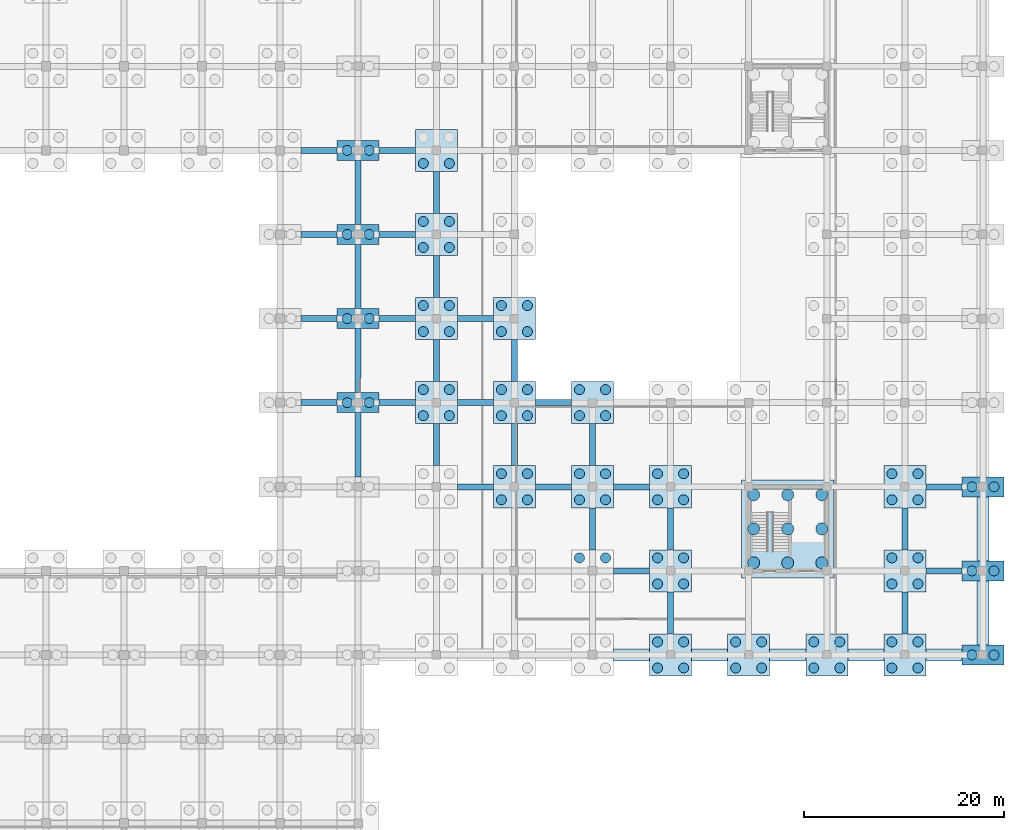
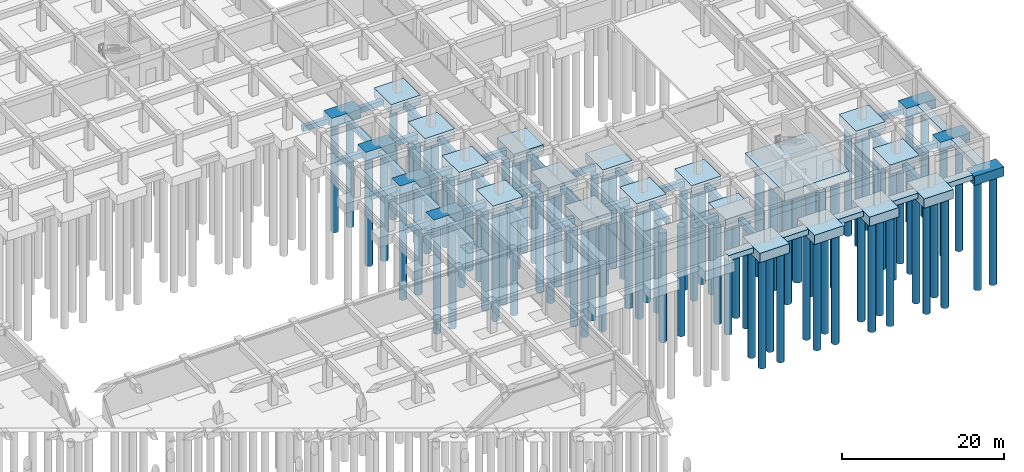
# One storey, part 9 of 31: 91 piles, 65 footings.
"""IFC4 building model written with IfcOpenShell, lengths in metres."""

from ifc_helpers import new_model, si_unit, direction, frame, origin, origin_2d, place, context, subcontext, project, spatial, rectangle, circle, extrude, material, material_profile, profile_set, type_object, element, save


model = new_model("IFC4")

# Units and contexts
model_context = context("Model", 3, precision=1e-05, world=origin(), true_north=direction((0.0, 1.0)))
body_context = subcontext(model_context, "Body", "Model", "MODEL_VIEW")
ifc_project = project(units=[si_unit("LENGTHUNIT", "METRE"), si_unit("AREAUNIT", "SQUARE_METRE"), si_unit("VOLUMEUNIT", "CUBIC_METRE"), si_unit("PLANEANGLEUNIT", "RADIAN"), si_unit("MASSUNIT", "GRAM", prefix="KILO")], contexts=[model_context])

# Site, building, storey
site_placement = place(None, origin())
site = spatial("IfcSite", under=ifc_project, at=site_placement, CompositionType="ELEMENT")
building_placement = place(site_placement, origin())
building = spatial("IfcBuilding", under=site, at=building_placement, Name="Zizhar Promenade General Hospital", CompositionType="ELEMENT")
storey_placement = place(building_placement, frame((0.0, 0.0, -4.800048828125)))
storey = spatial("IfcBuildingStorey", under=building, at=storey_placement, Name="B1", CompositionType="ELEMENT", Elevation=-4.800048828125)

# Footings
ifc_material_1 = material(Name="Concrete C30/37", Category="concrete")
footing_type_1 = type_object("IfcFootingType", Name="FTG-CAP2-4000", PredefinedType="PILE_CAP", material=ifc_material_1)
for number, where, z_axis, x_axis, name in (
    (1, (132.60009765625, 67.199951171875, -1.39990234375), (0.0, 0.0, 1.0), (1.0, 0.0, 0.0), "Pile Cap 18-J"),
    (2, (132.60009765625, 75.60009765625, -1.39990234375), (0.0, 0.0, 1.0), (1.0, 0.0, 0.0), "Pile Cap 18-K"),
    (3, (132.60009765625, 84.0, -1.39990234375), (0.0, 0.0, 1.0), (1.0, 0.0, 0.0), "Pile Cap 18-L"),
    (4, (132.60009765625, 92.39990234375, -1.39990234375), (0.0, 0.0, 1.0), (1.0, 0.0, 0.0), "Pile Cap 18-M"),
    (5, (195.0, 42.0, -1.39990234375), (0.0, 0.0, 1.0), (1.0, 0.0, 0.0), "Pile Cap 26-F"),
    (6, (195.0, 50.39990234375, -1.39990234375), (0.0, 0.0, 1.0), (1.0, 0.0, 0.0), "Pile Cap 26-G"),
    (7, (195.0, 58.800048828125, -1.39990234375), (0.0, 0.0, 1.0), (1.0, 0.0, 0.0), "Pile Cap 26-H"),
):
    element("IfcFooting", number, at=place(storey_placement, frame(where, z_axis=z_axis, x_axis=x_axis)), inside=storey, type_object=footing_type_1, Name=name, PredefinedType="PILE_CAP", context=body_context, shape_type="SweptSolid", body=[
        extrude(rectangle(XDim=4.199951171875, YDim=2.0, at=origin_2d()), origin(), (0.0, 0.0, 1.0), 1.39990234375),
    ])
ifc_material_2 = material(Name="Concrete C30/37", Category="concrete")
footing_type_2 = type_object("IfcFootingType", Name="FTG-CAP4-4200", PredefinedType="PILE_CAP", material=ifc_material_2)
for number, where, z_axis, x_axis, name in (
    (8, (140.39990234375, 67.199951171875, -1.39990234375), (0.0, 0.0, 1.0), (1.0, 0.0, 0.0), "Pile Cap 19-J"),
    (9, (140.39990234375, 75.60009765625, -1.39990234375), (0.0, 0.0, 1.0), (1.0, 0.0, 0.0), "Pile Cap 19-K"),
    (10, (140.39990234375, 84.0, -1.39990234375), (0.0, 0.0, 1.0), (1.0, 0.0, 0.0), "Pile Cap 19-L"),
    (11, (140.39990234375, 92.39990234375, -1.39990234375), (0.0, 0.0, 1.0), (1.0, 0.0, 0.0), "Pile Cap 19-M"),
    (12, (148.199951171875, 58.800048828125, -1.39990234375), (0.0, 0.0, 1.0), (1.0, 0.0, 0.0), "Pile Cap 20-H"),
    (13, (148.199951171875, 67.199951171875, -1.39990234375), (0.0, 0.0, 1.0), (1.0, 0.0, 0.0), "Pile Cap 20-J"),
    (14, (148.199951171875, 75.60009765625, -1.39990234375), (0.0, 0.0, 1.0), (1.0, 0.0, 0.0), "Pile Cap 20-K"),
    (15, (156.0, 58.800048828125, -1.39990234375), (0.0, 0.0, 1.0), (1.0, 0.0, 0.0), "Pile Cap 21-H"),
    (16, (156.0, 67.199951171875, -1.39990234375), (0.0, 0.0, 1.0), (1.0, 0.0, 0.0), "Pile Cap 21-J"),
    (17, (163.800048828125, 42.0, -1.39990234375), (0.0, 0.0, 1.0), (1.0, 0.0, 0.0), "Pile Cap 22-F"),
    (18, (163.800048828125, 50.39990234375, -1.39990234375), (0.0, 0.0, 1.0), (1.0, 0.0, 0.0), "Pile Cap 22-G"),
    (19, (163.800048828125, 58.800048828125, -1.39990234375), (0.0, 0.0, 1.0), (1.0, 0.0, 0.0), "Pile Cap 22-H"),
    (20, (171.60009765625, 42.0, -1.39990234375), (0.0, 0.0, 1.0), (1.0, 0.0, 0.0), "Pile Cap 23-F"),
    (21, (179.39990234375, 42.0, -1.39990234375), (0.0, 0.0, 1.0), (1.0, 0.0, 0.0), "Pile Cap 24-F"),
    (22, (187.199951171875, 42.0, -1.39990234375), (0.0, 0.0, 1.0), (1.0, 0.0, 0.0), "Pile Cap 25-F"),
    (23, (187.199951171875, 50.39990234375, -1.39990234375), (0.0, 0.0, 1.0), (1.0, 0.0, 0.0), "Pile Cap 25-G"),
    (24, (187.199951171875, 58.800048828125, -1.39990234375), (0.0, 0.0, 1.0), (1.0, 0.0, 0.0), "Pile Cap 25-H"),
):
    element("IfcFooting", number, at=place(storey_placement, frame(where, z_axis=z_axis, x_axis=x_axis)), inside=storey, type_object=footing_type_2, Name=name, PredefinedType="PILE_CAP", context=body_context, shape_type="SweptSolid", body=[
        extrude(rectangle(XDim=4.199951171875, YDim=4.199951171875, at=origin_2d()), origin(), (0.0, 0.0, 1.0), 1.39990234375),
    ])
ifc_material_3 = material(Name="Concrete C30/37", Category="concrete")
footing_type_3 = type_object("IfcFootingType", Name="FTG-CORECAP-9200", PredefinedType="PILE_CAP", material=ifc_material_3)
footing_1_placement = place(storey_placement, frame((175.5, 54.60009765625, -1.39990234375), z_axis=(0.0, 0.0, 1.0), x_axis=(1.0, 0.0, 0.0)))
element("IfcFooting", 25, at=footing_1_placement, inside=storey, type_object=footing_type_3, Name="Core C9 Pile Cap", PredefinedType="PILE_CAP", context=body_context, shape_type="SweptSolid", body=[
    extrude(rectangle(XDim=9.199951171875, YDim=9.800048828125, at=origin_2d()), origin(), (0.0, 0.0, 1.0), 1.39990234375),
])
ifc_material_4 = material(Name="Concrete C30/37", Category="concrete")
ifc_material_profile_1 = material_profile(ifc_material_4, rectangle(XDim=1.199951171875, YDim=0.800048828125, at=origin_2d()))
ifc_profile_set_1 = profile_set([ifc_material_profile_1], Name="Concrete C30/37")
footing_type_4 = type_object("IfcFootingType", Name="FTG-STRIP-1200", PredefinedType="STRIP_FOOTING", material=ifc_profile_set_1)
footing_2_placement = place(storey_placement, frame((158.10009765625, 42.0, -0.39990234375), z_axis=(1.0, 0.0, 0.0), x_axis=(0.0, 1.0, 0.0)))
element("IfcFooting", 26, at=footing_2_placement, inside=storey, type_object=footing_type_4, Name="Basement Wall Strip Footing B03 (4)", PredefinedType="STRIP_FOOTING", context=body_context, shape_type="SweptSolid", body=[
    extrude(rectangle(XDim=1.199951171875, YDim=0.800048828125, at=origin_2d()), origin(), (0.0, 0.0, 1.0), 3.599853515625),
])
for number, where, z_axis, x_axis, name in (
    (27, (165.89990234375, 42.0, -0.39990234375), (1.0, 0.0, 0.0), (0.0, 1.0, 0.0), "Basement Wall Strip Footing B03 (5)"),
    (28, (173.699951171875, 42.0, -0.39990234375), (1.0, 0.0, 0.0), (0.0, 1.0, 0.0), "Basement Wall Strip Footing B03 (6)"),
    (29, (181.5, 42.0, -0.39990234375), (1.0, 0.0, 0.0), (0.0, 1.0, 0.0), "Basement Wall Strip Footing B03 (7)"),
):
    element("IfcFooting", number, at=place(storey_placement, frame(where, z_axis=z_axis, x_axis=x_axis)), inside=storey, type_object=footing_type_4, Name=name, PredefinedType="STRIP_FOOTING", context=body_context, shape_type="SweptSolid", body=[
        extrude(rectangle(XDim=1.199951171875, YDim=0.800048828125, at=origin_2d()), origin(), (0.0, 0.0, 1.0), 3.60009765625),
    ])
footing_3_placement = place(storey_placement, frame((189.300048828125, 42.0, -0.39990234375), z_axis=(1.0, 0.0, 0.0), x_axis=(0.0, 1.0, 0.0)))
element("IfcFooting", 30, at=footing_3_placement, inside=storey, type_object=footing_type_4, Name="Basement Wall Strip Footing B03 (8)", PredefinedType="STRIP_FOOTING", context=body_context, shape_type="SweptSolid", body=[
    extrude(rectangle(XDim=1.199951171875, YDim=0.800048828125, at=origin_2d()), origin(), (0.0, 0.0, 1.0), 3.599853515625),
])
footing_4_placement = place(storey_placement, frame((195.0, 43.0, -0.39990234375), z_axis=(0.0, 1.0, 0.0), x_axis=(-1.0, 0.0, 0.0)))
element("IfcFooting", 31, at=footing_4_placement, inside=storey, type_object=footing_type_4, Name="Basement Wall Strip Footing B04", PredefinedType="STRIP_FOOTING", context=body_context, shape_type="SweptSolid", body=[
    extrude(rectangle(XDim=1.199951171875, YDim=0.800048828125, at=origin_2d()), origin(), (0.0, 0.0, 1.0), 6.39990234375),
])
footing_5_placement = place(storey_placement, frame((195.0, 51.39990234375, -0.39990234375), z_axis=(0.0, 1.0, 0.0), x_axis=(-1.0, 0.0, 0.0)))
element("IfcFooting", 32, at=footing_5_placement, inside=storey, type_object=footing_type_4, Name="Basement Wall Strip Footing B04 (2)", PredefinedType="STRIP_FOOTING", context=body_context, shape_type="SweptSolid", body=[
    extrude(rectangle(XDim=1.199951171875, YDim=0.800048828125, at=origin_2d()), origin(), (0.0, 0.0, 1.0), 6.400146484375),
])
ifc_material_5 = material(Name="Concrete C30/37", Category="concrete")
ifc_material_profile_2 = material_profile(ifc_material_5, rectangle(XDim=0.60009765625, YDim=0.800048828125, at=origin_2d()))
ifc_profile_set_2 = profile_set([ifc_material_profile_2], Name="Concrete C30/37")
footing_type_5 = type_object("IfcFootingType", Name="FTG-TIE-600x800", PredefinedType="FOOTING_BEAM", material=ifc_profile_set_2)
for number, where, z_axis, x_axis, name in (
    (33, (126.89990234375, 67.199951171875, -0.800048828125), (1.0, 0.0, 0.0), (0.0, 1.0, 0.0), "Seismic Ground Tie Beam X-16-8"),
    (34, (126.89990234375, 75.60009765625, -0.800048828125), (1.0, 0.0, 0.0), (0.0, 1.0, 0.0), "Seismic Ground Tie Beam X-16-9"),
    (35, (126.89990234375, 84.0, -0.800048828125), (1.0, 0.0, 0.0), (0.0, 1.0, 0.0), "Seismic Ground Tie Beam X-16-10"),
    (36, (126.89990234375, 92.39990234375, -0.800048828125), (1.0, 0.0, 0.0), (0.0, 1.0, 0.0), "Seismic Ground Tie Beam X-16-11"),
):
    element("IfcFooting", number, at=place(storey_placement, frame(where, z_axis=z_axis, x_axis=x_axis)), inside=storey, type_object=footing_type_5, Name=name, PredefinedType="FOOTING_BEAM", context=body_context, shape_type="SweptSolid", body=[
        extrude(rectangle(XDim=0.60009765625, YDim=0.800048828125, at=origin_2d()), origin(), (0.0, 0.0, 1.0), 3.60009765625),
    ])
footing_6_placement = place(storey_placement, frame((132.60009765625, 59.800048828125, -0.800048828125), z_axis=(0.0, 1.0, 0.0), x_axis=(-1.0, 0.0, 0.0)))
element("IfcFooting", 37, at=footing_6_placement, inside=storey, type_object=footing_type_5, Name="Seismic Ground Tie Beam Y-17-7", PredefinedType="FOOTING_BEAM", context=body_context, shape_type="SweptSolid", body=[
    extrude(rectangle(XDim=0.60009765625, YDim=0.800048828125, at=origin_2d()), origin(), (0.0, 0.0, 1.0), 6.39990234375),
])
footing_7_placement = place(storey_placement, frame((134.699951171875, 67.199951171875, -0.800048828125), z_axis=(1.0, 0.0, 0.0), x_axis=(0.0, 1.0, 0.0)))
element("IfcFooting", 38, at=footing_7_placement, inside=storey, type_object=footing_type_5, Name="Seismic Ground Tie Beam X-17-8", PredefinedType="FOOTING_BEAM", context=body_context, shape_type="SweptSolid", body=[
    extrude(rectangle(XDim=0.60009765625, YDim=0.800048828125, at=origin_2d()), origin(), (0.0, 0.0, 1.0), 3.60009765625),
])
footing_8_placement = place(storey_placement, frame((132.60009765625, 68.199951171875, -0.800048828125), z_axis=(0.0, 1.0, 0.0), x_axis=(-1.0, 0.0, 0.0)))
element("IfcFooting", 39, at=footing_8_placement, inside=storey, type_object=footing_type_5, Name="Seismic Ground Tie Beam Y-17-8", PredefinedType="FOOTING_BEAM", context=body_context, shape_type="SweptSolid", body=[
    extrude(rectangle(XDim=0.60009765625, YDim=0.800048828125, at=origin_2d()), origin(), (0.0, 0.0, 1.0), 6.400146484375),
])
footing_9_placement = place(storey_placement, frame((134.699951171875, 75.60009765625, -0.800048828125), z_axis=(1.0, 0.0, 0.0), x_axis=(0.0, 1.0, 0.0)))
element("IfcFooting", 40, at=footing_9_placement, inside=storey, type_object=footing_type_5, Name="Seismic Ground Tie Beam X-17-9", PredefinedType="FOOTING_BEAM", context=body_context, shape_type="SweptSolid", body=[
    extrude(rectangle(XDim=0.60009765625, YDim=0.800048828125, at=origin_2d()), origin(), (0.0, 0.0, 1.0), 3.60009765625),
])
footing_10_placement = place(storey_placement, frame((132.60009765625, 76.60009765625, -0.800048828125), z_axis=(0.0, 1.0, 0.0), x_axis=(-1.0, 0.0, 0.0)))
element("IfcFooting", 41, at=footing_10_placement, inside=storey, type_object=footing_type_5, Name="Seismic Ground Tie Beam Y-17-9", PredefinedType="FOOTING_BEAM", context=body_context, shape_type="SweptSolid", body=[
    extrude(rectangle(XDim=0.60009765625, YDim=0.800048828125, at=origin_2d()), origin(), (0.0, 0.0, 1.0), 6.39990234375),
])
footing_11_placement = place(storey_placement, frame((134.699951171875, 84.0, -0.800048828125), z_axis=(1.0, 0.0, 0.0), x_axis=(0.0, 1.0, 0.0)))
element("IfcFooting", 42, at=footing_11_placement, inside=storey, type_object=footing_type_5, Name="Seismic Ground Tie Beam X-17-10", PredefinedType="FOOTING_BEAM", context=body_context, shape_type="SweptSolid", body=[
    extrude(rectangle(XDim=0.60009765625, YDim=0.800048828125, at=origin_2d()), origin(), (0.0, 0.0, 1.0), 3.60009765625),
])
footing_12_placement = place(storey_placement, frame((132.60009765625, 85.0, -0.800048828125), z_axis=(0.0, 1.0, 0.0), x_axis=(-1.0, 0.0, 0.0)))
element("IfcFooting", 43, at=footing_12_placement, inside=storey, type_object=footing_type_5, Name="Seismic Ground Tie Beam Y-17-10", PredefinedType="FOOTING_BEAM", context=body_context, shape_type="SweptSolid", body=[
    extrude(rectangle(XDim=0.60009765625, YDim=0.800048828125, at=origin_2d()), origin(), (0.0, 0.0, 1.0), 6.39990234375),
])
for number, where, z_axis, x_axis, name in (
    (44, (134.699951171875, 92.39990234375, -0.800048828125), (1.0, 0.0, 0.0), (0.0, 1.0, 0.0), "Seismic Ground Tie Beam X-17-11"),
    (45, (142.5, 58.800048828125, -0.800048828125), (1.0, 0.0, 0.0), (0.0, 1.0, 0.0), "Seismic Ground Tie Beam X-18-7"),
):
    element("IfcFooting", number, at=place(storey_placement, frame(where, z_axis=z_axis, x_axis=x_axis)), inside=storey, type_object=footing_type_5, Name=name, PredefinedType="FOOTING_BEAM", context=body_context, shape_type="SweptSolid", body=[
        extrude(rectangle(XDim=0.60009765625, YDim=0.800048828125, at=origin_2d()), origin(), (0.0, 0.0, 1.0), 3.60009765625),
    ])
footing_13_placement = place(storey_placement, frame((140.39990234375, 60.89990234375, -0.800048828125), z_axis=(0.0, 1.0, 0.0), x_axis=(-1.0, 0.0, 0.0)))
element("IfcFooting", 46, at=footing_13_placement, inside=storey, type_object=footing_type_5, Name="Seismic Ground Tie Beam Y-18-7", PredefinedType="FOOTING_BEAM", context=body_context, shape_type="SweptSolid", body=[
    extrude(rectangle(XDim=0.60009765625, YDim=0.800048828125, at=origin_2d()), origin(), (0.0, 0.0, 1.0), 4.2001953125),
])
footing_14_placement = place(storey_placement, frame((142.5, 67.199951171875, -0.800048828125), z_axis=(1.0, 0.0, 0.0), x_axis=(0.0, 1.0, 0.0)))
element("IfcFooting", 47, at=footing_14_placement, inside=storey, type_object=footing_type_5, Name="Seismic Ground Tie Beam X-18-8", PredefinedType="FOOTING_BEAM", context=body_context, shape_type="SweptSolid", body=[
    extrude(rectangle(XDim=0.60009765625, YDim=0.800048828125, at=origin_2d()), origin(), (0.0, 0.0, 1.0), 3.60009765625),
])
footing_15_placement = place(storey_placement, frame((140.39990234375, 69.300048828125, -0.800048828125), z_axis=(0.0, 1.0, 0.0), x_axis=(-1.0, 0.0, 0.0)))
element("IfcFooting", 48, at=footing_15_placement, inside=storey, type_object=footing_type_5, Name="Seismic Ground Tie Beam Y-18-8", PredefinedType="FOOTING_BEAM", context=body_context, shape_type="SweptSolid", body=[
    extrude(rectangle(XDim=0.60009765625, YDim=0.800048828125, at=origin_2d()), origin(), (0.0, 0.0, 1.0), 4.199951171875),
])
footing_16_placement = place(storey_placement, frame((142.5, 75.60009765625, -0.800048828125), z_axis=(1.0, 0.0, 0.0), x_axis=(0.0, 1.0, 0.0)))
element("IfcFooting", 49, at=footing_16_placement, inside=storey, type_object=footing_type_5, Name="Seismic Ground Tie Beam X-18-9", PredefinedType="FOOTING_BEAM", context=body_context, shape_type="SweptSolid", body=[
    extrude(rectangle(XDim=0.60009765625, YDim=0.800048828125, at=origin_2d()), origin(), (0.0, 0.0, 1.0), 3.60009765625),
])
for number, where, z_axis, x_axis, name in (
    (50, (140.39990234375, 77.699951171875, -0.800048828125), (0.0, 1.0, 0.0), (-1.0, 0.0, 0.0), "Seismic Ground Tie Beam Y-18-9"),
    (51, (140.39990234375, 86.10009765625, -0.800048828125), (0.0, 1.0, 0.0), (-1.0, 0.0, 0.0), "Seismic Ground Tie Beam Y-18-10"),
):
    element("IfcFooting", number, at=place(storey_placement, frame(where, z_axis=z_axis, x_axis=x_axis)), inside=storey, type_object=footing_type_5, Name=name, PredefinedType="FOOTING_BEAM", context=body_context, shape_type="SweptSolid", body=[
        extrude(rectangle(XDim=0.60009765625, YDim=0.800048828125, at=origin_2d()), origin(), (0.0, 0.0, 1.0), 4.199951171875),
    ])
footing_17_placement = place(storey_placement, frame((150.300048828125, 58.800048828125, -0.800048828125), z_axis=(1.0, 0.0, 0.0), x_axis=(0.0, 1.0, 0.0)))
element("IfcFooting", 52, at=footing_17_placement, inside=storey, type_object=footing_type_5, Name="Seismic Ground Tie Beam X-19-7", PredefinedType="FOOTING_BEAM", context=body_context, shape_type="SweptSolid", body=[
    extrude(rectangle(XDim=0.60009765625, YDim=0.800048828125, at=origin_2d()), origin(), (0.0, 0.0, 1.0), 3.599853515625),
])
footing_18_placement = place(storey_placement, frame((148.199951171875, 60.89990234375, -0.800048828125), z_axis=(0.0, 1.0, 0.0), x_axis=(-1.0, 0.0, 0.0)))
element("IfcFooting", 53, at=footing_18_placement, inside=storey, type_object=footing_type_5, Name="Seismic Ground Tie Beam Y-19-7", PredefinedType="FOOTING_BEAM", context=body_context, shape_type="SweptSolid", body=[
    extrude(rectangle(XDim=0.60009765625, YDim=0.800048828125, at=origin_2d()), origin(), (0.0, 0.0, 1.0), 4.2001953125),
])
footing_19_placement = place(storey_placement, frame((150.300048828125, 67.199951171875, -0.800048828125), z_axis=(1.0, 0.0, 0.0), x_axis=(0.0, 1.0, 0.0)))
element("IfcFooting", 54, at=footing_19_placement, inside=storey, type_object=footing_type_5, Name="Seismic Ground Tie Beam X-19-8", PredefinedType="FOOTING_BEAM", context=body_context, shape_type="SweptSolid", body=[
    extrude(rectangle(XDim=0.60009765625, YDim=0.800048828125, at=origin_2d()), origin(), (0.0, 0.0, 1.0), 3.599853515625),
])
footing_20_placement = place(storey_placement, frame((148.199951171875, 69.300048828125, -0.800048828125), z_axis=(0.0, 1.0, 0.0), x_axis=(-1.0, 0.0, 0.0)))
element("IfcFooting", 55, at=footing_20_placement, inside=storey, type_object=footing_type_5, Name="Seismic Ground Tie Beam Y-19-8", PredefinedType="FOOTING_BEAM", context=body_context, shape_type="SweptSolid", body=[
    extrude(rectangle(XDim=0.60009765625, YDim=0.800048828125, at=origin_2d()), origin(), (0.0, 0.0, 1.0), 4.199951171875),
])
footing_21_placement = place(storey_placement, frame((158.10009765625, 50.39990234375, -0.800048828125), z_axis=(1.0, 0.0, 0.0), x_axis=(0.0, 1.0, 0.0)))
element("IfcFooting", 56, at=footing_21_placement, inside=storey, type_object=footing_type_5, Name="Seismic Ground Tie Beam X-20-6", PredefinedType="FOOTING_BEAM", context=body_context, shape_type="SweptSolid", body=[
    extrude(rectangle(XDim=0.60009765625, YDim=0.800048828125, at=origin_2d()), origin(), (0.0, 0.0, 1.0), 3.599853515625),
])
footing_22_placement = place(storey_placement, frame((156.0, 52.5, -0.800048828125), z_axis=(0.0, 1.0, 0.0), x_axis=(-1.0, 0.0, 0.0)))
element("IfcFooting", 57, at=footing_22_placement, inside=storey, type_object=footing_type_5, Name="Seismic Ground Tie Beam Y-20-6", PredefinedType="FOOTING_BEAM", context=body_context, shape_type="SweptSolid", body=[
    extrude(rectangle(XDim=0.60009765625, YDim=0.800048828125, at=origin_2d()), origin(), (0.0, 0.0, 1.0), 4.199951171875),
])
footing_23_placement = place(storey_placement, frame((158.10009765625, 58.800048828125, -0.800048828125), z_axis=(1.0, 0.0, 0.0), x_axis=(0.0, 1.0, 0.0)))
element("IfcFooting", 58, at=footing_23_placement, inside=storey, type_object=footing_type_5, Name="Seismic Ground Tie Beam X-20-7", PredefinedType="FOOTING_BEAM", context=body_context, shape_type="SweptSolid", body=[
    extrude(rectangle(XDim=0.60009765625, YDim=0.800048828125, at=origin_2d()), origin(), (0.0, 0.0, 1.0), 3.599853515625),
])
footing_24_placement = place(storey_placement, frame((156.0, 60.89990234375, -0.800048828125), z_axis=(0.0, 1.0, 0.0), x_axis=(-1.0, 0.0, 0.0)))
element("IfcFooting", 59, at=footing_24_placement, inside=storey, type_object=footing_type_5, Name="Seismic Ground Tie Beam Y-20-7", PredefinedType="FOOTING_BEAM", context=body_context, shape_type="SweptSolid", body=[
    extrude(rectangle(XDim=0.60009765625, YDim=0.800048828125, at=origin_2d()), origin(), (0.0, 0.0, 1.0), 4.2001953125),
])
for number, where, z_axis, x_axis, name in (
    (60, (163.800048828125, 44.10009765625, -0.800048828125), (0.0, 1.0, 0.0), (-1.0, 0.0, 0.0), "Seismic Ground Tie Beam Y-21-5"),
    (61, (163.800048828125, 52.5, -0.800048828125), (0.0, 1.0, 0.0), (-1.0, 0.0, 0.0), "Seismic Ground Tie Beam Y-21-6"),
    (62, (187.199951171875, 44.10009765625, -0.800048828125), (0.0, 1.0, 0.0), (-1.0, 0.0, 0.0), "Seismic Ground Tie Beam Y-24-5"),
):
    element("IfcFooting", number, at=place(storey_placement, frame(where, z_axis=z_axis, x_axis=x_axis)), inside=storey, type_object=footing_type_5, Name=name, PredefinedType="FOOTING_BEAM", context=body_context, shape_type="SweptSolid", body=[
        extrude(rectangle(XDim=0.60009765625, YDim=0.800048828125, at=origin_2d()), origin(), (0.0, 0.0, 1.0), 4.199951171875),
    ])
footing_25_placement = place(storey_placement, frame((189.300048828125, 50.39990234375, -0.800048828125), z_axis=(1.0, 0.0, 0.0), x_axis=(0.0, 1.0, 0.0)))
element("IfcFooting", 63, at=footing_25_placement, inside=storey, type_object=footing_type_5, Name="Seismic Ground Tie Beam X-24-6", PredefinedType="FOOTING_BEAM", context=body_context, shape_type="SweptSolid", body=[
    extrude(rectangle(XDim=0.60009765625, YDim=0.800048828125, at=origin_2d()), origin(), (0.0, 0.0, 1.0), 3.599853515625),
])
footing_26_placement = place(storey_placement, frame((187.199951171875, 52.5, -0.800048828125), z_axis=(0.0, 1.0, 0.0), x_axis=(-1.0, 0.0, 0.0)))
element("IfcFooting", 64, at=footing_26_placement, inside=storey, type_object=footing_type_5, Name="Seismic Ground Tie Beam Y-24-6", PredefinedType="FOOTING_BEAM", context=body_context, shape_type="SweptSolid", body=[
    extrude(rectangle(XDim=0.60009765625, YDim=0.800048828125, at=origin_2d()), origin(), (0.0, 0.0, 1.0), 4.199951171875),
])
footing_27_placement = place(storey_placement, frame((189.300048828125, 58.800048828125, -0.800048828125), z_axis=(1.0, 0.0, 0.0), x_axis=(0.0, 1.0, 0.0)))
element("IfcFooting", 65, at=footing_27_placement, inside=storey, type_object=footing_type_5, Name="Seismic Ground Tie Beam X-24-7", PredefinedType="FOOTING_BEAM", context=body_context, shape_type="SweptSolid", body=[
    extrude(rectangle(XDim=0.60009765625, YDim=0.800048828125, at=origin_2d()), origin(), (0.0, 0.0, 1.0), 3.599853515625),
])

# Piles
ifc_material_6 = material(Name="Concrete C30/37", Category="concrete")
ifc_material_profile_3 = material_profile(ifc_material_6, circle(Radius=0.5, at=origin_2d()))
ifc_profile_set_3 = profile_set([ifc_material_profile_3], Name="Concrete C30/37")
pile_type_1 = type_object("IfcPileType", Name="PIL-BORED-1000", PredefinedType="BORED", material=ifc_profile_set_3)
for number, where, z_axis, x_axis, name in (
    (66, (131.5, 67.199951171875, -1.300048828125), (0.0, 0.0, -1.0), (1.0, 0.0, 0.0), "Bored Pile 18-J-1"),
    (67, (133.699951171875, 67.199951171875, -1.300048828125), (0.0, 0.0, -1.0), (1.0, 0.0, 0.0), "Bored Pile 18-J-2"),
    (68, (131.5, 75.60009765625, -1.300048828125), (0.0, 0.0, -1.0), (1.0, 0.0, 0.0), "Bored Pile 18-K-1"),
    (69, (133.699951171875, 75.60009765625, -1.300048828125), (0.0, 0.0, -1.0), (1.0, 0.0, 0.0), "Bored Pile 18-K-2"),
    (70, (131.5, 84.0, -1.300048828125), (0.0, 0.0, -1.0), (1.0, 0.0, 0.0), "Bored Pile 18-L-1"),
    (71, (133.699951171875, 84.0, -1.300048828125), (0.0, 0.0, -1.0), (1.0, 0.0, 0.0), "Bored Pile 18-L-2"),
    (72, (131.5, 92.39990234375, -1.300048828125), (0.0, 0.0, -1.0), (1.0, 0.0, 0.0), "Bored Pile 18-M-1"),
    (73, (133.699951171875, 92.39990234375, -1.300048828125), (0.0, 0.0, -1.0), (1.0, 0.0, 0.0), "Bored Pile 18-M-2"),
    (74, (139.10009765625, 65.89990234375, -1.300048828125), (0.0, 0.0, -1.0), (1.0, 0.0, 0.0), "Bored Pile 19-J-1"),
    (75, (139.10009765625, 68.5, -1.300048828125), (0.0, 0.0, -1.0), (1.0, 0.0, 0.0), "Bored Pile 19-J-2"),
    (76, (141.699951171875, 65.89990234375, -1.300048828125), (0.0, 0.0, -1.0), (1.0, 0.0, 0.0), "Bored Pile 19-J-3"),
    (77, (141.699951171875, 68.5, -1.300048828125), (0.0, 0.0, -1.0), (1.0, 0.0, 0.0), "Bored Pile 19-J-4"),
    (78, (139.10009765625, 74.300048828125, -1.300048828125), (0.0, 0.0, -1.0), (1.0, 0.0, 0.0), "Bored Pile 19-K-1"),
    (79, (139.10009765625, 76.89990234375, -1.300048828125), (0.0, 0.0, -1.0), (1.0, 0.0, 0.0), "Bored Pile 19-K-2"),
    (80, (141.699951171875, 74.300048828125, -1.300048828125), (0.0, 0.0, -1.0), (1.0, 0.0, 0.0), "Bored Pile 19-K-3"),
    (81, (141.699951171875, 76.89990234375, -1.300048828125), (0.0, 0.0, -1.0), (1.0, 0.0, 0.0), "Bored Pile 19-K-4"),
    (82, (139.10009765625, 82.699951171875, -1.300048828125), (0.0, 0.0, -1.0), (1.0, 0.0, 0.0), "Bored Pile 19-L-1"),
    (83, (139.10009765625, 85.300048828125, -1.300048828125), (0.0, 0.0, -1.0), (1.0, 0.0, 0.0), "Bored Pile 19-L-2"),
    (84, (141.699951171875, 82.699951171875, -1.300048828125), (0.0, 0.0, -1.0), (1.0, 0.0, 0.0), "Bored Pile 19-L-3"),
    (85, (141.699951171875, 85.300048828125, -1.300048828125), (0.0, 0.0, -1.0), (1.0, 0.0, 0.0), "Bored Pile 19-L-4"),
    (86, (139.10009765625, 91.10009765625, -1.300048828125), (0.0, 0.0, -1.0), (1.0, 0.0, 0.0), "Bored Pile 19-M-1"),
    (87, (141.699951171875, 91.10009765625, -1.300048828125), (0.0, 0.0, -1.0), (1.0, 0.0, 0.0), "Bored Pile 19-M-3"),
    (88, (146.89990234375, 57.5, -1.300048828125), (0.0, 0.0, -1.0), (1.0, 0.0, 0.0), "Bored Pile 20-H-1"),
    (89, (146.89990234375, 60.10009765625, -1.300048828125), (0.0, 0.0, -1.0), (1.0, 0.0, 0.0), "Bored Pile 20-H-2"),
    (90, (149.5, 57.5, -1.300048828125), (0.0, 0.0, -1.0), (1.0, 0.0, 0.0), "Bored Pile 20-H-3"),
    (91, (149.5, 60.10009765625, -1.300048828125), (0.0, 0.0, -1.0), (1.0, 0.0, 0.0), "Bored Pile 20-H-4"),
    (92, (146.89990234375, 65.89990234375, -1.300048828125), (0.0, 0.0, -1.0), (1.0, 0.0, 0.0), "Bored Pile 20-J-1"),
    (93, (146.89990234375, 68.5, -1.300048828125), (0.0, 0.0, -1.0), (1.0, 0.0, 0.0), "Bored Pile 20-J-2"),
    (94, (149.5, 65.89990234375, -1.300048828125), (0.0, 0.0, -1.0), (1.0, 0.0, 0.0), "Bored Pile 20-J-3"),
    (95, (149.5, 68.5, -1.300048828125), (0.0, 0.0, -1.0), (1.0, 0.0, 0.0), "Bored Pile 20-J-4"),
    (96, (146.89990234375, 74.300048828125, -1.300048828125), (0.0, 0.0, -1.0), (1.0, 0.0, 0.0), "Bored Pile 20-K-1"),
    (97, (146.89990234375, 76.89990234375, -1.300048828125), (0.0, 0.0, -1.0), (1.0, 0.0, 0.0), "Bored Pile 20-K-2"),
    (98, (149.5, 74.300048828125, -1.300048828125), (0.0, 0.0, -1.0), (1.0, 0.0, 0.0), "Bored Pile 20-K-3"),
    (99, (149.5, 76.89990234375, -1.300048828125), (0.0, 0.0, -1.0), (1.0, 0.0, 0.0), "Bored Pile 20-K-4"),
    (100, (154.699951171875, 51.699951171875, -1.300048828125), (0.0, 0.0, -1.0), (1.0, 0.0, 0.0), "Bored Pile 21-G-2"),
    (101, (157.300048828125, 51.699951171875, -1.300048828125), (0.0, 0.0, -1.0), (1.0, 0.0, 0.0), "Bored Pile 21-G-4"),
    (102, (154.699951171875, 57.5, -1.300048828125), (0.0, 0.0, -1.0), (1.0, 0.0, 0.0), "Bored Pile 21-H-1"),
    (103, (154.699951171875, 60.10009765625, -1.300048828125), (0.0, 0.0, -1.0), (1.0, 0.0, 0.0), "Bored Pile 21-H-2"),
    (104, (157.300048828125, 57.5, -1.300048828125), (0.0, 0.0, -1.0), (1.0, 0.0, 0.0), "Bored Pile 21-H-3"),
    (105, (157.300048828125, 60.10009765625, -1.300048828125), (0.0, 0.0, -1.0), (1.0, 0.0, 0.0), "Bored Pile 21-H-4"),
    (106, (154.699951171875, 65.89990234375, -1.300048828125), (0.0, 0.0, -1.0), (1.0, 0.0, 0.0), "Bored Pile 21-J-1"),
    (107, (154.699951171875, 68.5, -1.300048828125), (0.0, 0.0, -1.0), (1.0, 0.0, 0.0), "Bored Pile 21-J-2"),
    (108, (157.300048828125, 65.89990234375, -1.300048828125), (0.0, 0.0, -1.0), (1.0, 0.0, 0.0), "Bored Pile 21-J-3"),
    (109, (157.300048828125, 68.5, -1.300048828125), (0.0, 0.0, -1.0), (1.0, 0.0, 0.0), "Bored Pile 21-J-4"),
    (110, (162.5, 40.699951171875, -1.300048828125), (0.0, 0.0, -1.0), (1.0, 0.0, 0.0), "Bored Pile 22-F-1"),
    (111, (162.5, 43.300048828125, -1.300048828125), (0.0, 0.0, -1.0), (1.0, 0.0, 0.0), "Bored Pile 22-F-2"),
    (112, (165.10009765625, 40.699951171875, -1.300048828125), (0.0, 0.0, -1.0), (1.0, 0.0, 0.0), "Bored Pile 22-F-3"),
    (113, (165.10009765625, 43.300048828125, -1.300048828125), (0.0, 0.0, -1.0), (1.0, 0.0, 0.0), "Bored Pile 22-F-4"),
    (114, (162.5, 49.10009765625, -1.300048828125), (0.0, 0.0, -1.0), (1.0, 0.0, 0.0), "Bored Pile 22-G-1"),
    (115, (162.5, 51.699951171875, -1.300048828125), (0.0, 0.0, -1.0), (1.0, 0.0, 0.0), "Bored Pile 22-G-2"),
    (116, (165.10009765625, 49.10009765625, -1.300048828125), (0.0, 0.0, -1.0), (1.0, 0.0, 0.0), "Bored Pile 22-G-3"),
    (117, (165.10009765625, 51.699951171875, -1.300048828125), (0.0, 0.0, -1.0), (1.0, 0.0, 0.0), "Bored Pile 22-G-4"),
    (118, (162.5, 57.5, -1.300048828125), (0.0, 0.0, -1.0), (1.0, 0.0, 0.0), "Bored Pile 22-H-1"),
    (119, (162.5, 60.10009765625, -1.300048828125), (0.0, 0.0, -1.0), (1.0, 0.0, 0.0), "Bored Pile 22-H-2"),
    (120, (165.10009765625, 57.5, -1.300048828125), (0.0, 0.0, -1.0), (1.0, 0.0, 0.0), "Bored Pile 22-H-3"),
    (121, (165.10009765625, 60.10009765625, -1.300048828125), (0.0, 0.0, -1.0), (1.0, 0.0, 0.0), "Bored Pile 22-H-4"),
    (122, (170.300048828125, 40.699951171875, -1.300048828125), (0.0, 0.0, -1.0), (1.0, 0.0, 0.0), "Bored Pile 23-F-1"),
    (123, (170.300048828125, 43.300048828125, -1.300048828125), (0.0, 0.0, -1.0), (1.0, 0.0, 0.0), "Bored Pile 23-F-2"),
    (124, (172.89990234375, 40.699951171875, -1.300048828125), (0.0, 0.0, -1.0), (1.0, 0.0, 0.0), "Bored Pile 23-F-3"),
    (125, (172.89990234375, 43.300048828125, -1.300048828125), (0.0, 0.0, -1.0), (1.0, 0.0, 0.0), "Bored Pile 23-F-4"),
    (126, (178.10009765625, 40.699951171875, -1.300048828125), (0.0, 0.0, -1.0), (1.0, 0.0, 0.0), "Bored Pile 24-F-1"),
    (127, (178.10009765625, 43.300048828125, -1.300048828125), (0.0, 0.0, -1.0), (1.0, 0.0, 0.0), "Bored Pile 24-F-2"),
    (128, (180.699951171875, 40.699951171875, -1.300048828125), (0.0, 0.0, -1.0), (1.0, 0.0, 0.0), "Bored Pile 24-F-3"),
    (129, (180.699951171875, 43.300048828125, -1.300048828125), (0.0, 0.0, -1.0), (1.0, 0.0, 0.0), "Bored Pile 24-F-4"),
    (130, (185.89990234375, 40.699951171875, -1.300048828125), (0.0, 0.0, -1.0), (1.0, 0.0, 0.0), "Bored Pile 25-F-1"),
    (131, (185.89990234375, 43.300048828125, -1.300048828125), (0.0, 0.0, -1.0), (1.0, 0.0, 0.0), "Bored Pile 25-F-2"),
    (132, (188.5, 40.699951171875, -1.300048828125), (0.0, 0.0, -1.0), (1.0, 0.0, 0.0), "Bored Pile 25-F-3"),
    (133, (188.5, 43.300048828125, -1.300048828125), (0.0, 0.0, -1.0), (1.0, 0.0, 0.0), "Bored Pile 25-F-4"),
    (134, (185.89990234375, 49.10009765625, -1.300048828125), (0.0, 0.0, -1.0), (1.0, 0.0, 0.0), "Bored Pile 25-G-1"),
    (135, (185.89990234375, 51.699951171875, -1.300048828125), (0.0, 0.0, -1.0), (1.0, 0.0, 0.0), "Bored Pile 25-G-2"),
    (136, (188.5, 49.10009765625, -1.300048828125), (0.0, 0.0, -1.0), (1.0, 0.0, 0.0), "Bored Pile 25-G-3"),
    (137, (188.5, 51.699951171875, -1.300048828125), (0.0, 0.0, -1.0), (1.0, 0.0, 0.0), "Bored Pile 25-G-4"),
    (138, (185.89990234375, 57.5, -1.300048828125), (0.0, 0.0, -1.0), (1.0, 0.0, 0.0), "Bored Pile 25-H-1"),
    (139, (185.89990234375, 60.10009765625, -1.300048828125), (0.0, 0.0, -1.0), (1.0, 0.0, 0.0), "Bored Pile 25-H-2"),
    (140, (188.5, 57.5, -1.300048828125), (0.0, 0.0, -1.0), (1.0, 0.0, 0.0), "Bored Pile 25-H-3"),
    (141, (188.5, 60.10009765625, -1.300048828125), (0.0, 0.0, -1.0), (1.0, 0.0, 0.0), "Bored Pile 25-H-4"),
    (142, (193.89990234375, 42.0, -1.300048828125), (0.0, 0.0, -1.0), (1.0, 0.0, 0.0), "Bored Pile 26-F-1"),
    (143, (196.10009765625, 42.0, -1.300048828125), (0.0, 0.0, -1.0), (1.0, 0.0, 0.0), "Bored Pile 26-F-2"),
    (144, (193.89990234375, 50.39990234375, -1.300048828125), (0.0, 0.0, -1.0), (1.0, 0.0, 0.0), "Bored Pile 26-G-1"),
    (145, (196.10009765625, 50.39990234375, -1.300048828125), (0.0, 0.0, -1.0), (1.0, 0.0, 0.0), "Bored Pile 26-G-2"),
    (146, (193.89990234375, 58.800048828125, -1.300048828125), (0.0, 0.0, -1.0), (1.0, 0.0, 0.0), "Bored Pile 26-H-1"),
    (147, (196.10009765625, 58.800048828125, -1.300048828125), (0.0, 0.0, -1.0), (1.0, 0.0, 0.0), "Bored Pile 26-H-2"),
):
    element("IfcPile", number, at=place(storey_placement, frame(where, z_axis=z_axis, x_axis=x_axis)), inside=storey, type_object=pile_type_1, Name=name, PredefinedType="BORED", context=body_context, shape_type="SweptSolid", body=[
        extrude(circle(Radius=0.5, at=origin_2d()), origin(), (0.0, 0.0, 1.0), 16.5),
    ])
ifc_material_7 = material(Name="Concrete C30/37", Category="concrete")
ifc_material_profile_4 = material_profile(ifc_material_7, circle(Radius=0.60009765625, at=origin_2d()))
ifc_profile_set_4 = profile_set([ifc_material_profile_4], Name="Concrete C30/37")
pile_type_2 = type_object("IfcPileType", Name="PIL-BORED-1200", PredefinedType="BORED", material=ifc_profile_set_4)
for number, where, z_axis, x_axis, name in (
    (148, (172.10009765625, 51.199951171875, -1.300048828125), (0.0, 0.0, -1.0), (1.0, 0.0, 0.0), "Core C9 Bored Pile 01"),
    (149, (172.10009765625, 54.60009765625, -1.300048828125), (0.0, 0.0, -1.0), (1.0, 0.0, 0.0), "Core C9 Bored Pile 02"),
    (150, (172.10009765625, 58.0, -1.300048828125), (0.0, 0.0, -1.0), (1.0, 0.0, 0.0), "Core C9 Bored Pile 03"),
    (151, (175.5, 51.199951171875, -1.300048828125), (0.0, 0.0, -1.0), (1.0, 0.0, 0.0), "Core C9 Bored Pile 04"),
    (152, (175.5, 54.60009765625, -1.300048828125), (0.0, 0.0, -1.0), (1.0, 0.0, 0.0), "Core C9 Bored Pile 05"),
    (153, (175.5, 58.0, -1.300048828125), (0.0, 0.0, -1.0), (1.0, 0.0, 0.0), "Core C9 Bored Pile 06"),
    (154, (178.89990234375, 51.199951171875, -1.300048828125), (0.0, 0.0, -1.0), (1.0, 0.0, 0.0), "Core C9 Bored Pile 07"),
    (155, (178.89990234375, 54.60009765625, -1.300048828125), (0.0, 0.0, -1.0), (1.0, 0.0, 0.0), "Core C9 Bored Pile 08"),
    (156, (178.89990234375, 58.0, -1.300048828125), (0.0, 0.0, -1.0), (1.0, 0.0, 0.0), "Core C9 Bored Pile 09"),
):
    element("IfcPile", number, at=place(storey_placement, frame(where, z_axis=z_axis, x_axis=x_axis)), inside=storey, type_object=pile_type_2, Name=name, PredefinedType="BORED", context=body_context, shape_type="SweptSolid", body=[
        extrude(circle(Radius=0.60009765625, at=origin_2d()), origin(), (0.0, 0.0, 1.0), 16.5),
    ])

save(model, "model.ifc")
